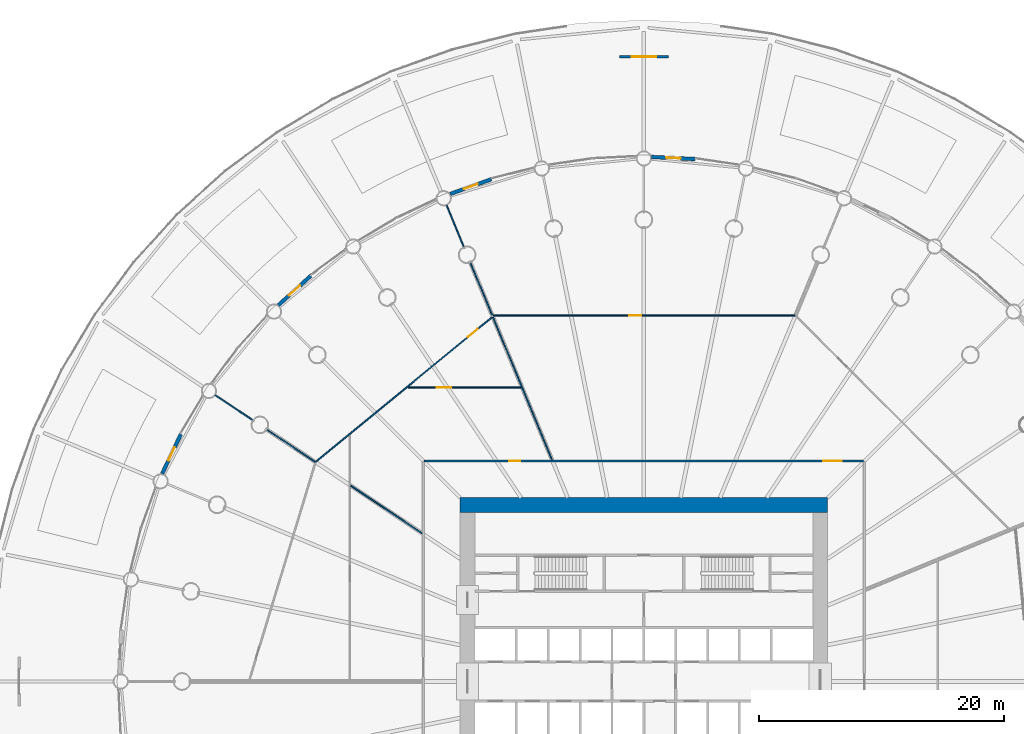
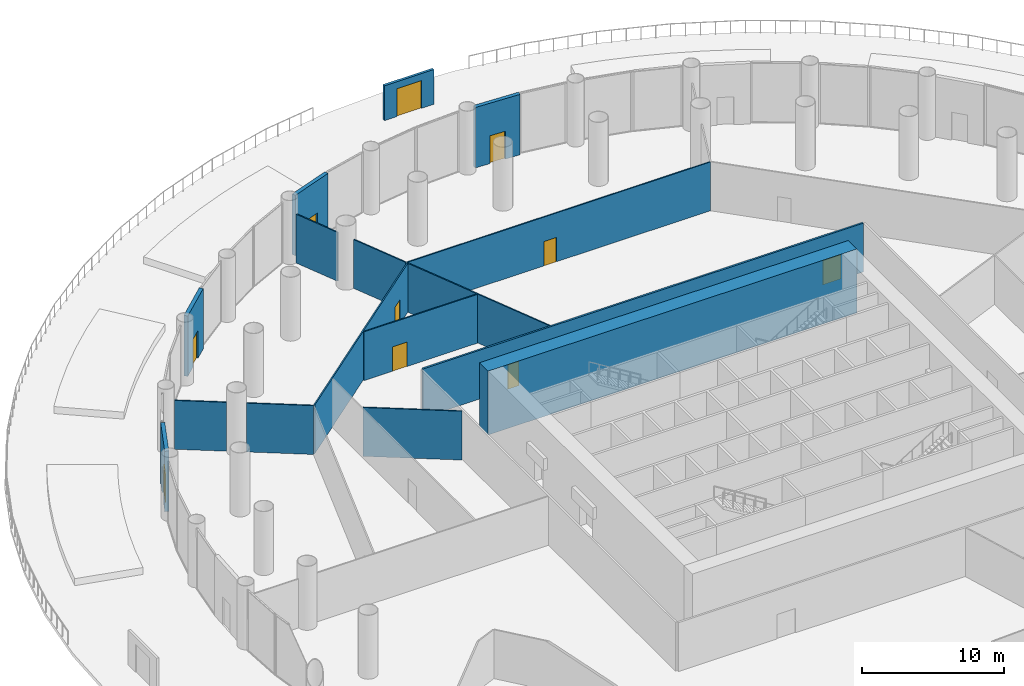
# One storey, part 32 of 36: 16 walls, 10 doors, 10 openings.
"""IFC4 building model written with IfcOpenShell, lengths in metres."""

from ifc_helpers import new_model, si_unit, direction, frame, frame_2d, origin, place, context, subcontext, project, spatial, rectangle, extrude, material, layer, layer_set, type_object, element, fill, save


model = new_model("IFC4")

# Units and contexts
model_context = context("Model", 3, precision=1e-05, world=origin(), true_north=direction((0.0, 1.0)))
body_context = subcontext(model_context, "Body", "Model", "MODEL_VIEW")
ifc_project = project(units=[si_unit("LENGTHUNIT", "METRE"), si_unit("AREAUNIT", "SQUARE_METRE"), si_unit("VOLUMEUNIT", "CUBIC_METRE"), si_unit("PLANEANGLEUNIT", "RADIAN"), si_unit("MASSUNIT", "GRAM", prefix="KILO")], contexts=[model_context])

# Site, building, storey
site_placement = place(None, origin())
site = spatial("IfcSite", under=ifc_project, at=site_placement, CompositionType="ELEMENT")
building_placement = place(site_placement, origin())
building = spatial("IfcBuilding", under=site, at=building_placement, Name="Corvane Civic Tower", CompositionType="ELEMENT")
storey_placement = place(building_placement, frame((0.0, 0.0, 6.0)))
storey = spatial("IfcBuildingStorey", under=building, at=storey_placement, Name="L01", CompositionType="ELEMENT", Elevation=6.0)

# Wall
ifc_material_1 = material(Name="Concrete C80/95", Category="concrete")
ifc_layer_1 = layer(ifc_material_1, 1.199951171875)
ifc_layer_set_1 = layer_set([ifc_layer_1], Name="Concrete C80/95")
wall_type_1 = type_object("IfcWallType", Name="CORE WALL 1200 C80/95", PredefinedType="SHEAR", material=ifc_layer_set_1)
wall_1_placement = place(storey_placement, frame((-15.0, 14.39990234375, 0.0), z_axis=(0.0, 0.0, 1.0), x_axis=(1.0, 0.0, 0.0)))
element("IfcWall", 1, at=wall_1_placement, inside=storey, type_object=wall_type_1, Name="W-L01-core-N", PredefinedType="SHEAR", context=body_context, shape_type="SweptSolid", body=[
    extrude(rectangle(XDim=30.0, YDim=1.199951171875, at=frame_2d((15.0, 0.0))), origin(), (0.0, 0.0, 1.0), 5.5),
])

# Wall, opening, door
ifc_material_2 = material(Name="Terracotta cladding", Category="masonry")
ifc_layer_2 = layer(ifc_material_2, 0.300048828125)
ifc_layer_set_2 = layer_set([ifc_layer_2], Name="Terracotta cladding")
wall_type_2 = type_object("IfcWallType", Name="PODIUM-W-DRUMDOOR-300", PredefinedType="SOLIDWALL", material=ifc_layer_set_2)
wall_2_placement = place(storey_placement, frame((0.6318359375, 42.81884765625, 0.0), z_axis=(0.0, 0.0, 1.0), x_axis=(0.998793719427, -0.049103014495, 0.0)))
wall_2 = element("IfcWall", 2, at=wall_2_placement, inside=storey, type_object=wall_type_2, Name="L01 drum door bay wall 01", PredefinedType="SOLIDWALL", context=body_context, shape_type="SweptSolid", body=[
    extrude(rectangle(XDim=3.56005859375, YDim=0.300048828125, at=frame_2d((1.780029296875, 0.0))), origin(), (0.0, 0.0, 1.0), 5.199951171875),
])
opening_1_placement = place(wall_2_placement, frame((1.179931640625, 0.0, 0.0)))
opening_1 = element("IfcOpeningElement", 3, at=opening_1_placement, cuts=wall_2, Name="Opening ED-L01-01", PredefinedType="OPENING", context=body_context, shape_type="SweptSolid", body=[
    extrude(rectangle(XDim=1.199951171875, YDim=2.39990234375, at=frame_2d((0.60009765625, 1.199951171875))), frame((0.0, 0.159912109375, 0.0), z_axis=(0.0, -1.0, 0.0), x_axis=(1.0, 0.0, 0.0)), (0.0, 0.0, 1.0), 0.320068359375),
])
ifc_material_3 = material(Name="Anodised aluminium and glass", Category="aluminium")
door_type_1 = type_object("IfcDoorType", Name="PODIUM-D-BALCONY-1200", OperationType="SINGLE_SWING_LEFT", PredefinedType="DOOR", material=ifc_material_3)
door_1_placement = place(opening_1_placement, origin())
door_1 = element("IfcDoor", 4, at=door_1_placement, inside=storey, type_object=door_type_1, Name="L01 balcony door 01", OperationType="SINGLE_SWING_LEFT", OverallHeight=2.39990234375, OverallWidth=1.199951171875, PredefinedType="DOOR", context=body_context, shape_type="SweptSolid", body=[
    extrude(rectangle(XDim=1.199951171875, YDim=2.39990234375, at=frame_2d((0.60009765625, 1.199951171875))), frame((0.0, 0.02490234375, 0.0), z_axis=(0.0, -1.0, 0.0), x_axis=(1.0, 0.0, 0.0)), (0.0, 0.0, 1.0), 0.050048828125),
])
fill(opening_1, door_1)

wall_3_placement = place(storey_placement, frame((-39.317626953125, 16.9697265625, 0.0), z_axis=(0.0, 0.0, 1.0), x_axis=(0.427546758778, 0.903993235074, 0.0)))
wall_3 = element("IfcWall", 5, at=wall_3_placement, inside=storey, type_object=wall_type_2, Name="L01 drum door bay wall 27", PredefinedType="SOLIDWALL", context=body_context, shape_type="SweptSolid", body=[
    extrude(rectangle(XDim=3.559814453125, YDim=0.300048828125, at=frame_2d((1.77978515625, 0.0))), origin(), (0.0, 0.0, 1.0), 5.199951171875),
])
opening_2_placement = place(wall_3_placement, frame((1.179931640625, 0.0, 0.0)))
opening_2 = element("IfcOpeningElement", 6, at=opening_2_placement, cuts=wall_3, Name="Opening ED-L01-27", PredefinedType="OPENING", context=body_context, shape_type="SweptSolid", body=[
    extrude(rectangle(XDim=1.199951171875, YDim=2.39990234375, at=frame_2d((0.60009765625, 1.199951171875))), frame((0.0, 0.159912109375, 0.0), z_axis=(0.0, -1.0, 0.0), x_axis=(1.0, 0.0, 0.0)), (0.0, 0.0, 1.0), 0.320068359375),
])
door_2_placement = place(opening_2_placement, origin())
door_2 = element("IfcDoor", 7, at=door_2_placement, inside=storey, type_object=door_type_1, Name="L01 balcony door 27", OperationType="SINGLE_SWING_LEFT", OverallHeight=2.39990234375, OverallWidth=1.199951171875, PredefinedType="DOOR", context=body_context, shape_type="SweptSolid", body=[
    extrude(rectangle(XDim=1.199951171875, YDim=2.39990234375, at=frame_2d((0.60009765625, 1.199951171875))), frame((0.0, 0.02490234375, 0.0), z_axis=(0.0, -1.0, 0.0), x_axis=(1.0, 0.0, 0.0)), (0.0, 0.0, 1.0), 0.050048828125),
])
fill(opening_2, door_2)

wall_4_placement = place(storey_placement, frame((-29.83056640625, 30.72412109375, 0.0), z_axis=(0.0, 0.0, 1.0), x_axis=(0.740922965913, 0.671590022694, 0.0)))
wall_4 = element("IfcWall", 8, at=wall_4_placement, inside=storey, type_object=wall_type_2, Name="L01 drum door bay wall 29", PredefinedType="SOLIDWALL", context=body_context, shape_type="SweptSolid", body=[
    extrude(rectangle(XDim=3.56005859375, YDim=0.300048828125, at=frame_2d((1.780029296875, 0.0))), origin(), (0.0, 0.0, 1.0), 5.199951171875),
])
opening_3_placement = place(wall_4_placement, frame((1.179931640625, 0.0, 0.0)))
opening_3 = element("IfcOpeningElement", 9, at=opening_3_placement, cuts=wall_4, Name="Opening ED-L01-29", PredefinedType="OPENING", context=body_context, shape_type="SweptSolid", body=[
    extrude(rectangle(XDim=1.199951171875, YDim=2.39990234375, at=frame_2d((0.60009765625, 1.199951171875))), frame((0.0, 0.159912109375, 0.0), z_axis=(0.0, -1.0, 0.0), x_axis=(1.0, 0.0, 0.0)), (0.0, 0.0, 1.0), 0.320068359375),
])
door_3_placement = place(opening_3_placement, origin())
door_3 = element("IfcDoor", 10, at=door_3_placement, inside=storey, type_object=door_type_1, Name="L01 balcony door 29", OperationType="SINGLE_SWING_LEFT", OverallHeight=2.39990234375, OverallWidth=1.199951171875, PredefinedType="DOOR", context=body_context, shape_type="SweptSolid", body=[
    extrude(rectangle(XDim=1.199951171875, YDim=2.39990234375, at=frame_2d((0.60009765625, 1.199951171875))), frame((0.0, 0.02490234375, 0.0), z_axis=(0.0, -1.0, 0.0), x_axis=(1.0, 0.0, 0.0)), (0.0, 0.0, 1.0), 0.050048828125),
])
fill(opening_3, door_3)

wall_5_placement = place(storey_placement, frame((-15.80224609375, 39.80126953125, 0.0), z_axis=(0.0, 0.0, 1.0), x_axis=(0.941550911926, 0.336870717414, 0.0)))
wall_5 = element("IfcWall", 11, at=wall_5_placement, inside=storey, type_object=wall_type_2, Name="L01 drum door bay wall 31", PredefinedType="SOLIDWALL", context=body_context, shape_type="SweptSolid", body=[
    extrude(rectangle(XDim=3.559814453125, YDim=0.300048828125, at=frame_2d((1.77978515625, 0.0))), origin(), (0.0, 0.0, 1.0), 5.199951171875),
])
opening_4_placement = place(wall_5_placement, frame((1.179931640625, 0.0, 0.0)))
opening_4 = element("IfcOpeningElement", 12, at=opening_4_placement, cuts=wall_5, Name="Opening ED-L01-31", PredefinedType="OPENING", context=body_context, shape_type="SweptSolid", body=[
    extrude(rectangle(XDim=1.199951171875, YDim=2.39990234375, at=frame_2d((0.60009765625, 1.199951171875))), frame((0.0, 0.159912109375, 0.0), z_axis=(0.0, -1.0, 0.0), x_axis=(1.0, 0.0, 0.0)), (0.0, 0.0, 1.0), 0.320068359375),
])
door_4_placement = place(opening_4_placement, origin())
door_4 = element("IfcDoor", 13, at=door_4_placement, inside=storey, type_object=door_type_1, Name="L01 balcony door 31", OperationType="SINGLE_SWING_LEFT", OverallHeight=2.39990234375, OverallWidth=1.199951171875, PredefinedType="DOOR", context=body_context, shape_type="SweptSolid", body=[
    extrude(rectangle(XDim=1.199951171875, YDim=2.39990234375, at=frame_2d((0.60009765625, 1.199951171875))), frame((0.0, 0.02490234375, 0.0), z_axis=(0.0, -1.0, 0.0), x_axis=(1.0, 0.0, 0.0)), (0.0, 0.0, 1.0), 0.050048828125),
])
fill(opening_4, door_4)

ifc_material_4 = material(Name="Anodised aluminium bronze", Category="aluminium")
ifc_layer_3 = layer(ifc_material_4, 0.199951171875)
ifc_layer_set_3 = layer_set([ifc_layer_3], Name="Anodised aluminium bronze")
wall_type_3 = type_object("IfcWallType", Name="PODIUM-W-GATESCREEN-200", PredefinedType="SOLIDWALL", material=ifc_layer_set_3)
wall_6_placement = place(storey_placement, frame((2.0, 51.0, 0.0), z_axis=(0.0, 0.0, 1.0), x_axis=(-1.0, 0.0, 0.0)))
wall_6 = element("IfcWall", 14, at=wall_6_placement, inside=storey, type_object=wall_type_3, Name="Garden gate screen north", PredefinedType="SOLIDWALL", context=body_context, shape_type="SweptSolid", body=[
    extrude(rectangle(XDim=4.0, YDim=0.199951171875, at=frame_2d((2.0, 0.0))), origin(), (0.0, 0.0, 1.0), 3.0),
])
opening_5_placement = place(wall_6_placement, frame((1.0, 0.0, 0.0)))
opening_5 = element("IfcOpeningElement", 15, at=opening_5_placement, cuts=wall_6, Name="Opening ED-L01-G1", PredefinedType="OPENING", context=body_context, shape_type="SweptSolid", body=[
    extrude(rectangle(XDim=2.0, YDim=2.39990234375, at=frame_2d((1.0, 1.199951171875))), frame((0.0, 0.10986328125, 0.0), z_axis=(0.0, -1.0, 0.0), x_axis=(1.0, 0.0, 0.0)), (0.0, 0.0, 1.0), 0.219970703125),
])
ifc_material_5 = material(Name="Anodised aluminium bronze gate leaves", Category="aluminium")
door_type_2 = type_object("IfcDoorType", Name="PODIUM-D-GATE-2000", OperationType="DOUBLE_DOOR_SINGLE_SWING", PredefinedType="DOOR", material=ifc_material_5)
door_5_placement = place(opening_5_placement, origin())
door_5 = element("IfcDoor", 16, at=door_5_placement, inside=storey, type_object=door_type_2, Name="Garden gate north", OperationType="DOUBLE_DOOR_SINGLE_SWING", OverallHeight=2.39990234375, OverallWidth=2.0, PredefinedType="DOOR", context=body_context, shape_type="SweptSolid", body=[
    extrude(rectangle(XDim=2.0, YDim=2.39990234375, at=frame_2d((1.0, 1.199951171875))), frame((0.0, 0.02490234375, 0.0), z_axis=(0.0, -1.0, 0.0), x_axis=(1.0, 0.0, 0.0)), (0.0, 0.0, 1.0), 0.050048828125),
])
fill(opening_5, door_5)

# Walls
ifc_material_6 = material(Name="Plasterboard")
ifc_layer_4 = layer(ifc_material_6, 0.10009765625)
ifc_layer_set_4 = layer_set([ifc_layer_4], Name="Plasterboard")
wall_type_4 = type_object("IfcWallType", Name="Partition 100 plasterboard on studs", PredefinedType="PARTITIONING", material=ifc_layer_set_4)
wall_7_placement = place(storey_placement, frame((-23.922119140625, 15.984375, 0.0), z_axis=(0.0, 0.0, 1.0), x_axis=(0.831464875055, -0.555577322747, 0.0)))
element("IfcWall", 17, at=wall_7_placement, inside=storey, type_object=wall_type_4, Name="Partition L01.033", PredefinedType="PARTITIONING", context=body_context, shape_type="SweptSolid", body=[
    extrude(rectangle(XDim=6.998779296875, YDim=0.10009765625, at=frame_2d((3.49951171875, 0.0))), origin(), (0.0, 0.0, 1.0), 4.199951171875),
])
wall_8_placement = place(storey_placement, frame((-30.756103515625, 20.550537109375, 0.0), z_axis=(0.0, 0.0, 1.0), x_axis=(0.831492306595, -0.555536267109, 0.0)))
element("IfcWall", 18, at=wall_8_placement, inside=storey, type_object=wall_type_4, Name="Partition L01.036", PredefinedType="PARTITIONING", context=body_context, shape_type="SweptSolid", body=[
    extrude(rectangle(XDim=4.715576171875, YDim=0.10009765625, at=frame_2d((2.35791015625, 0.0))), origin(), (0.0, 0.0, 1.0), 4.199951171875),
])

# Wall, opening, door
wall_9_placement = place(storey_placement, frame((-26.77587890625, 17.93359375, 0.0), z_axis=(0.0, 0.0, 1.0), x_axis=(0.773015473947, 0.634387166515, 0.0)))
wall_9 = element("IfcWall", 19, at=wall_9_placement, inside=storey, type_object=wall_type_4, Name="Partition L01.037", PredefinedType="PARTITIONING", context=body_context, shape_type="SweptSolid", body=[
    extrude(rectangle(XDim=18.611572265625, YDim=0.10009765625, at=frame_2d((9.3056640625, 0.0))), origin(), (0.0, 0.0, 1.0), 4.199951171875),
])
opening_6_placement = place(wall_9_placement, frame((16.063720703125, 0.0, 0.0)))
opening_6 = element("IfcOpeningElement", 20, at=opening_6_placement, cuts=wall_9, Name="Opening L01.015", PredefinedType="OPENING", context=body_context, shape_type="SweptSolid", body=[
    extrude(rectangle(XDim=1.0, YDim=2.10009765625, at=frame_2d((0.5, 1.050048828125))), frame((0.0, 0.06005859375, 0.0), z_axis=(0.0, -1.0, 0.0), x_axis=(1.0, 0.0, 0.0)), (0.0, 0.0, 1.0), 0.1201171875),
])
ifc_material_7 = material(Name="Timber", Category="wood")
door_type_3 = type_object("IfcDoorType", Name="Single door 1000", OperationType="NOTDEFINED", PredefinedType="DOOR", material=ifc_material_7)
door_6_placement = place(opening_6_placement, origin())
door_6 = element("IfcDoor", 21, at=door_6_placement, inside=storey, type_object=door_type_3, Name="Door L01.015", OperationType="SINGLE_SWING_RIGHT", OverallHeight=2.10009765625, OverallWidth=1.0, PredefinedType="DOOR", context=body_context, shape_type="SweptSolid", body=[
    extrude(rectangle(XDim=1.0, YDim=2.10009765625, at=frame_2d((0.5, 1.050048828125))), frame((0.0, 0.02490234375, 0.0), z_axis=(0.0, -1.0, 0.0), x_axis=(1.0, 0.0, 0.0)), (0.0, 0.0, 1.0), 0.050048828125),
])
fill(opening_6, door_6)

# Walls
wall_10_placement = place(storey_placement, frame((-12.31201171875, 29.723388671875, 0.0), z_axis=(0.0, 0.0, 1.0), x_axis=(0.382689245958, -0.923877124421, 0.0)))
element("IfcWall", 22, at=wall_10_placement, inside=storey, type_object=wall_type_4, Name="Partition L01.039", PredefinedType="PARTITIONING", context=body_context, shape_type="SweptSolid", body=[
    extrude(rectangle(XDim=12.587646484375, YDim=0.10009765625, at=frame_2d((6.2939453125, 0.0))), origin(), (0.0, 0.0, 1.0), 4.199951171875),
])
wall_11_placement = place(storey_placement, frame((-34.99658203125, 23.3837890625, 0.0), z_axis=(0.0, 0.0, 1.0), x_axis=(0.831508927146, -0.555511389691, 0.0)))
element("IfcWall", 23, at=wall_11_placement, inside=storey, type_object=wall_type_4, Name="Partition L01.040", PredefinedType="PARTITIONING", context=body_context, shape_type="SweptSolid", body=[
    extrude(rectangle(XDim=3.679931640625, YDim=0.10009765625, at=frame_2d((1.83984375, 0.0))), origin(), (0.0, 0.0, 1.0), 4.199951171875),
])

# Wall, opening, door
wall_12_placement = place(storey_placement, frame((-19.244140625, 24.0, 0.0), z_axis=(0.0, 0.0, 1.0), x_axis=(1.0, 0.0, 0.0)))
wall_12 = element("IfcWall", 24, at=wall_12_placement, inside=storey, type_object=wall_type_4, Name="Partition L01.041", PredefinedType="PARTITIONING", context=body_context, shape_type="SweptSolid", body=[
    extrude(rectangle(XDim=9.22802734375, YDim=0.10009765625, at=frame_2d((4.614013671875, 0.0))), origin(), (0.0, 0.0, 1.0), 4.199951171875),
])
opening_7_placement = place(wall_12_placement, frame((2.322998046875, 0.0, 0.0)))
opening_7 = element("IfcOpeningElement", 25, at=opening_7_placement, cuts=wall_12, Name="Opening L01.017", PredefinedType="OPENING", context=body_context, shape_type="SweptSolid", body=[
    extrude(rectangle(XDim=1.199951171875, YDim=2.10009765625, at=frame_2d((0.60009765625, 1.050048828125))), frame((0.0, 0.06005859375, 0.0), z_axis=(0.0, -1.0, 0.0), x_axis=(1.0, 0.0, 0.0)), (0.0, 0.0, 1.0), 0.1201171875),
])
ifc_material_8 = material(Name="Timber", Category="wood")
door_type_4 = type_object("IfcDoorType", Name="Double door 1200", OperationType="NOTDEFINED", PredefinedType="DOOR", material=ifc_material_8)
door_7_placement = place(opening_7_placement, origin())
door_7 = element("IfcDoor", 26, at=door_7_placement, inside=storey, type_object=door_type_4, Name="Door L01.017", OperationType="DOUBLE_DOOR_SINGLE_SWING", OverallHeight=2.10009765625, OverallWidth=1.199951171875, PredefinedType="DOOR", context=body_context, shape_type="SweptSolid", body=[
    extrude(rectangle(XDim=1.199951171875, YDim=2.10009765625, at=frame_2d((0.60009765625, 1.050048828125))), frame((0.0, 0.02490234375, 0.0), z_axis=(0.0, -1.0, 0.0), x_axis=(1.0, 0.0, 0.0)), (0.0, 0.0, 1.0), 0.050048828125),
])
fill(opening_7, door_7)

wall_13_placement = place(storey_placement, frame((-12.30029296875, 29.8759765625, 0.0), z_axis=(0.0, 0.0, 1.0), x_axis=(1.0, 0.0, 0.0)))
wall_13 = element("IfcWall", 27, at=wall_13_placement, inside=storey, type_object=wall_type_4, Name="Partition L01.042", PredefinedType="PARTITIONING", context=body_context, shape_type="SweptSolid", body=[
    extrude(rectangle(XDim=24.641845703125, YDim=0.10009765625, at=frame_2d((12.32080078125, 0.0))), origin(), (0.0, 0.0, 1.0), 4.199951171875),
])
opening_8_placement = place(wall_13_placement, frame((11.105712890625, 0.0, 0.0)))
opening_8 = element("IfcOpeningElement", 28, at=opening_8_placement, cuts=wall_13, Name="Opening L01.020", PredefinedType="OPENING", context=body_context, shape_type="SweptSolid", body=[
    extrude(rectangle(XDim=1.0, YDim=2.10009765625, at=frame_2d((0.5, 1.050048828125))), frame((0.0, 0.06005859375, 0.0), z_axis=(0.0, -1.0, 0.0), x_axis=(1.0, 0.0, 0.0)), (0.0, 0.0, 1.0), 0.1201171875),
])
door_8_placement = place(opening_8_placement, origin())
door_8 = element("IfcDoor", 29, at=door_8_placement, inside=storey, type_object=door_type_3, Name="Door L01.020", OperationType="SINGLE_SWING_LEFT", OverallHeight=2.10009765625, OverallWidth=1.0, PredefinedType="DOOR", context=body_context, shape_type="SweptSolid", body=[
    extrude(rectangle(XDim=1.0, YDim=2.10009765625, at=frame_2d((0.5, 1.050048828125))), frame((0.0, 0.02490234375, 0.0), z_axis=(0.0, -1.0, 0.0), x_axis=(1.0, 0.0, 0.0)), (0.0, 0.0, 1.0), 0.050048828125),
])
fill(opening_8, door_8)

# Walls
wall_14_placement = place(storey_placement, frame((-14.155517578125, 34.17431640625, 0.0), z_axis=(0.0, 0.0, 1.0), x_axis=(0.382699050285, -0.923873063203, 0.0)))
element("IfcWall", 30, at=wall_14_placement, inside=storey, type_object=wall_type_4, Name="Partition L01.043", PredefinedType="PARTITIONING", context=body_context, shape_type="SweptSolid", body=[
    extrude(rectangle(XDim=4.615478515625, YDim=0.10009765625, at=frame_2d((2.3076171875, 0.0))), origin(), (0.0, 0.0, 1.0), 4.199951171875),
])
wall_15_placement = place(storey_placement, frame((-16.107177734375, 38.885986328125, 0.0), z_axis=(0.0, 0.0, 1.0), x_axis=(0.382687744427, -0.923877746385, 0.0)))
element("IfcWall", 31, at=wall_15_placement, inside=storey, type_object=wall_type_4, Name="Partition L01.045", PredefinedType="PARTITIONING", context=body_context, shape_type="SweptSolid", body=[
    extrude(rectangle(XDim=3.6796875, YDim=0.10009765625, at=frame_2d((1.83984375, 0.0))), origin(), (0.0, 0.0, 1.0), 4.199951171875),
])

# Wall, openings, doors
ifc_material_9 = material(Name="Plasterboard")
ifc_layer_5 = layer(ifc_material_9, 0.14990234375)
ifc_layer_set_5 = layer_set([ifc_layer_5], Name="Plasterboard")
wall_type_5 = type_object("IfcWallType", Name="Tenancy wall 150 EI 60", PredefinedType="PARTITIONING", material=ifc_layer_set_5)
wall_16_placement = place(storey_placement, frame((-17.925048828125, 18.0, 0.0), z_axis=(0.0, 0.0, 1.0), x_axis=(1.0, 0.0, 0.0)))
wall_16 = element("IfcWall", 32, at=wall_16_placement, inside=storey, type_object=wall_type_5, Name="Partition L01.038", PredefinedType="PARTITIONING", context=body_context, shape_type="SweptSolid", body=[
    extrude(rectangle(XDim=35.85009765625, YDim=0.14990234375, at=frame_2d((17.925048828125, 0.0))), origin(), (0.0, 0.0, 1.0), 4.199951171875),
])
opening_9_placement = place(wall_16_placement, frame((6.93408203125, 0.0, 0.0)))
opening_9 = element("IfcOpeningElement", 33, at=opening_9_placement, cuts=wall_16, Name="Opening L01.019", PredefinedType="OPENING", context=body_context, shape_type="SweptSolid", body=[
    extrude(rectangle(XDim=0.89990234375, YDim=2.10009765625, at=frame_2d((0.449951171875, 1.050048828125))), frame((0.0, 0.0849609375, 0.0), z_axis=(0.0, -1.0, 0.0), x_axis=(1.0, 0.0, 0.0)), (0.0, 0.0, 1.0), 0.169921875),
])
opening_10_placement = place(wall_16_placement, frame((32.571044921875, 0.0, 0.0)))
opening_10 = element("IfcOpeningElement", 34, at=opening_10_placement, cuts=wall_16, Name="Opening L01.022", PredefinedType="OPENING", context=body_context, shape_type="SweptSolid", body=[
    extrude(rectangle(XDim=1.5, YDim=2.10009765625, at=frame_2d((0.75, 1.050048828125))), frame((0.0, 0.0849609375, 0.0), z_axis=(0.0, -1.0, 0.0), x_axis=(1.0, 0.0, 0.0)), (0.0, 0.0, 1.0), 0.169921875),
])
ifc_material_10 = material(Name="Steel and timber", Category="steel")
door_type_5 = type_object("IfcDoorType", Name="Fire door FD30S 900", OperationType="NOTDEFINED", PredefinedType="DOOR", material=ifc_material_10)
door_9_placement = place(opening_9_placement, origin())
door_9 = element("IfcDoor", 35, at=door_9_placement, inside=storey, type_object=door_type_5, Name="Door L01.019", OperationType="SINGLE_SWING_LEFT", OverallHeight=2.10009765625, OverallWidth=0.89990234375, PredefinedType="DOOR", context=body_context, shape_type="SweptSolid", body=[
    extrude(rectangle(XDim=0.89990234375, YDim=2.10009765625, at=frame_2d((0.449951171875, 1.050048828125))), frame((0.0, 0.02490234375, 0.0), z_axis=(0.0, -1.0, 0.0), x_axis=(1.0, 0.0, 0.0)), (0.0, 0.0, 1.0), 0.050048828125),
])
fill(opening_9, door_9)
ifc_material_11 = material(Name="Steel and timber", Category="steel")
door_type_6 = type_object("IfcDoorType", Name="Fire door FD60 double 1500", OperationType="NOTDEFINED", PredefinedType="DOOR", material=ifc_material_11)
door_10_placement = place(opening_10_placement, origin())
door_10 = element("IfcDoor", 36, at=door_10_placement, inside=storey, type_object=door_type_6, Name="Door L01.022", OperationType="DOUBLE_DOOR_SINGLE_SWING", OverallHeight=2.10009765625, OverallWidth=1.5, PredefinedType="DOOR", context=body_context, shape_type="SweptSolid", body=[
    extrude(rectangle(XDim=1.5, YDim=2.10009765625, at=frame_2d((0.75, 1.050048828125))), frame((0.0, 0.02490234375, 0.0), z_axis=(0.0, -1.0, 0.0), x_axis=(1.0, 0.0, 0.0)), (0.0, 0.0, 1.0), 0.050048828125),
])
fill(opening_10, door_10)

save(model, "model.ifc")
